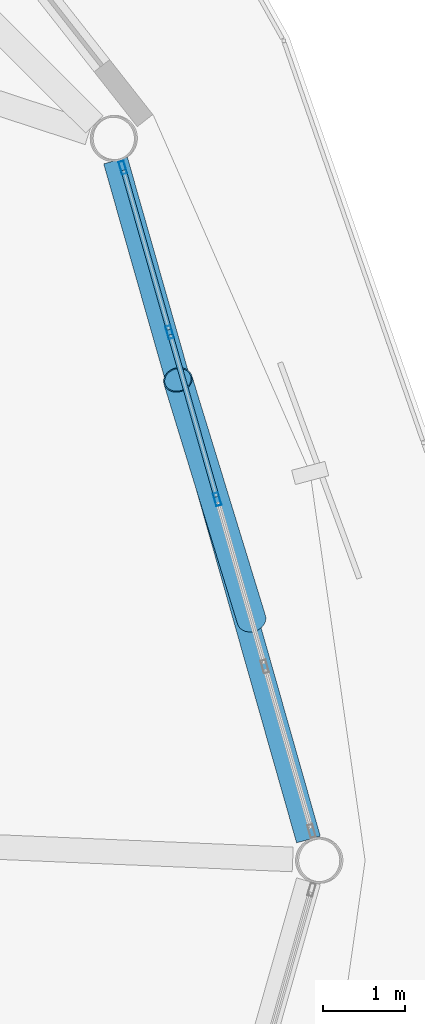
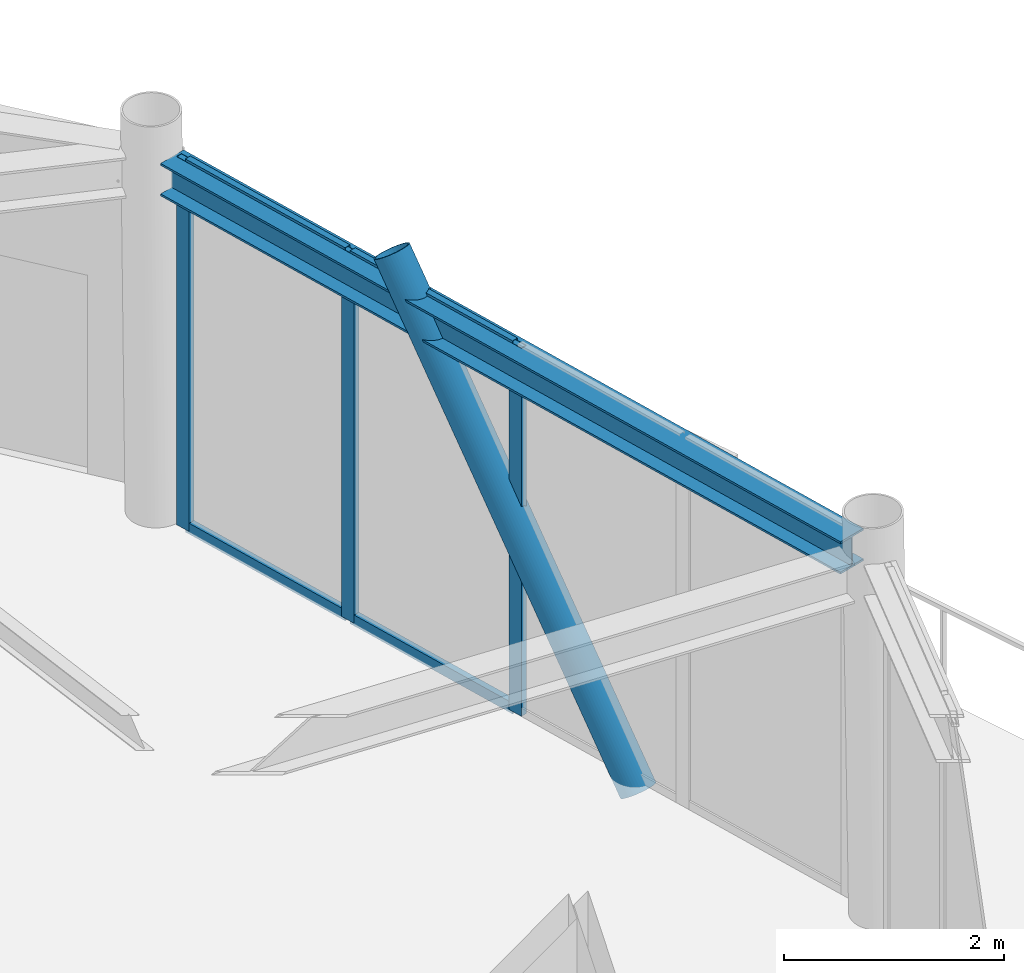
# One storey, part 14 of 24: 8 members, 1 beam, 1 element without a shape of its own.
"""IFC4 building model written with IfcOpenShell, lengths in metres."""

from ifc_helpers import new_model, si_unit, direction, frame, origin, origin_2d, place, context, subcontext, project, spatial, hollow_rectangle, hollow_circle, i_section, extrude, material, layer, layer_set, material_profile, profile_set, type_object, element, aggregate, save


model = new_model("IFC4")

# Units and contexts
model_context = context("Model", 3, precision=1e-05, world=origin(), true_north=direction((0.0, 1.0)))
body_context = subcontext(model_context, "Body", "Model", "MODEL_VIEW")
ifc_project = project(units=[si_unit("LENGTHUNIT", "METRE"), si_unit("AREAUNIT", "SQUARE_METRE"), si_unit("VOLUMEUNIT", "CUBIC_METRE"), si_unit("PLANEANGLEUNIT", "RADIAN"), si_unit("MASSUNIT", "GRAM", prefix="KILO")], contexts=[model_context])

# Site, building, storey
site_placement = place(None, origin())
site = spatial("IfcSite", under=ifc_project, at=site_placement, CompositionType="ELEMENT")
building_placement = place(site_placement, origin())
building = spatial("IfcBuilding", under=site, at=building_placement, Name="Varnakorn Sky Granary", CompositionType="ELEMENT")
storey_placement = place(building_placement, frame((0.0, 0.0, 285.0)))
storey = spatial("IfcBuildingStorey", under=building, at=storey_placement, Name="L73", CompositionType="ELEMENT", Elevation=285.0)

# Beam
ifc_material_1 = material(Name="Steel S355JR", Category="steel")
ifc_material_profile_1 = material_profile(ifc_material_1, i_section(OverallWidth=0.300048828125, OverallDepth=0.360107421875, WebThickness=0.012451171875, FlangeThickness=0.0224609375, at=origin_2d()), Name="HE 360 B")
ifc_profile_set_1 = profile_set([ifc_material_profile_1], Name="Steel S355JR")
beam_type = type_object("IfcBeamType", Name="BM-SPD-Z5", PredefinedType="SPANDREL", material=ifc_profile_set_1)
beam_placement = place(storey_placement, frame((22.527587890625, 0.25439453125, 3.89990234375), z_axis=(-0.273262465219, 0.961939512185, 0.0), x_axis=(-0.961939512185, -0.273262465219, 0.0)))
element("IfcBeam", 1, at=beam_placement, inside=storey, type_object=beam_type, Name="Perimeter Spandrel Ring Beam RB01 L73", PredefinedType="SPANDREL", context=body_context, shape_type="SweptSolid", body=[
    extrude(i_section(OverallWidth=0.300048828125, OverallDepth=0.360107421875, WebThickness=0.012451171875, FlangeThickness=0.0224609375, at=origin_2d()), origin(), (0.0, 0.0, 1.0), 8.60107421875),
])

# Curtain wall, members
ifc_material_2 = material(Name="Anodised Bronze Aluminium Alloy 6063-T6", Category="aluminium")
ifc_layer = layer(ifc_material_2, 0.159912109375, Name="Anodised Bronze Aluminium Alloy 6063-T6")
ifc_layer_set = layer_set([ifc_layer], Name="Anodised Bronze Aluminium Alloy 6063-T6")
curtain_wall_type = type_object("IfcCurtainWallType", Name="CW-OFF-1", PredefinedType="USERDEFINED", material=ifc_layer_set)
curtain_wall_placement = place(storey_placement, origin())
curtain_wall = element("IfcCurtainWall", 2, at=curtain_wall_placement, inside=storey, type_object=curtain_wall_type, Name="Unitised Curtain Wall CW6 CW-L73-B01", ObjectType="CURTAIN WALL", PredefinedType="USERDEFINED")
ifc_material_profile_2 = material_profile(ifc_material_2, hollow_rectangle(XDim=0.06494140625, YDim=0.159912109375, WallThickness=0.00341796875, at=origin_2d()), Name="ALU MULL 65x160")
ifc_profile_set_2 = profile_set([ifc_material_profile_2], Name="Anodised Bronze Aluminium Alloy 6063-T6")
member_type_1 = type_object("IfcMemberType", Name="CW-OFF-1-MULL", PredefinedType="MULLION", material=ifc_profile_set_2)
member_1_placement = place(storey_placement, frame((20.265625, 8.441650390625, 0.0), z_axis=(0.0, 0.0, 1.0), x_axis=(0.96181256174, 0.273708962366, 0.0)))
member_1 = element("IfcMember", 3, at=member_1_placement, type_object=member_type_1, Name="CW6 mullion 1", PredefinedType="MULLION", context=body_context, shape_type="SweptSolid", body=[
    extrude(hollow_rectangle(XDim=0.06494140625, YDim=0.159912109375, WallThickness=0.00341796875, at=origin_2d()), origin(), (0.0, 0.0, 1.0), 4.080078125),
])
member_2_placement = place(storey_placement, frame((20.83642578125, 6.436279296875, 0.0), z_axis=(0.0, 0.0, 1.0), x_axis=(0.96181256174, 0.273708962366, 0.0)))
member_2 = element("IfcMember", 4, at=member_2_placement, type_object=member_type_1, Name="CW6 mullion 2", PredefinedType="MULLION", context=body_context, shape_type="SweptSolid", body=[
    extrude(hollow_rectangle(XDim=0.06494140625, YDim=0.159912109375, WallThickness=0.00341796875, at=origin_2d()), origin(), (0.0, 0.0, 1.0), 4.080078125),
])
member_3_placement = place(storey_placement, frame((21.416015625, 4.399658203125, 0.0), z_axis=(0.0, 0.0, 1.0), x_axis=(0.96181256174, 0.273708962366, 0.0)))
member_3 = element("IfcMember", 5, at=member_3_placement, type_object=member_type_1, Name="CW6 mullion 3", PredefinedType="MULLION", context=body_context, shape_type="SweptSolid", body=[
    extrude(hollow_rectangle(XDim=0.06494140625, YDim=0.159912109375, WallThickness=0.00341796875, at=origin_2d()), origin(), (0.0, 0.0, 1.0), 4.080078125),
])
ifc_material_profile_3 = material_profile(ifc_material_2, hollow_rectangle(XDim=0.06494140625, YDim=0.1201171875, WallThickness=0.00341796875, at=origin_2d()), Name="ALU TRAN 65x120")
ifc_profile_set_3 = profile_set([ifc_material_profile_3], Name="Anodised Bronze Aluminium Alloy 6063-T6")
member_type_2 = type_object("IfcMemberType", Name="CW-OFF-1-TRAN", PredefinedType="USERDEFINED", material=ifc_profile_set_3)
member_4_placement = place(storey_placement, frame((20.274658203125, 8.410400390625, 0.032470703125), z_axis=(0.27363545981, -0.961833475782, 0.0), x_axis=(0.961833475782, 0.27363545981, 0.0)))
member_4 = element("IfcMember", 6, at=member_4_placement, type_object=member_type_2, Name="CW6 transom 1.1", ObjectType="TRANSOM", PredefinedType="USERDEFINED", context=body_context, shape_type="SweptSolid", body=[
    extrude(hollow_rectangle(XDim=0.06494140625, YDim=0.1201171875, WallThickness=0.00341796875, at=origin_2d()), origin(), (0.0, 0.0, 1.0), 2.02001953125),
])
member_5_placement = place(storey_placement, frame((20.274658203125, 8.410400390625, 4.047607421875), z_axis=(0.27363545981, -0.961833475782, 0.0), x_axis=(0.961833475782, 0.27363545981, 0.0)))
member_5 = element("IfcMember", 7, at=member_5_placement, type_object=member_type_2, Name="CW6 transom 1.2", ObjectType="TRANSOM", PredefinedType="USERDEFINED", context=body_context, shape_type="SweptSolid", body=[
    extrude(hollow_rectangle(XDim=0.06494140625, YDim=0.1201171875, WallThickness=0.00341796875, at=origin_2d()), origin(), (0.0, 0.0, 1.0), 2.02001953125),
])
member_6_placement = place(storey_placement, frame((20.84521484375, 6.405029296875, 0.032470703125), z_axis=(0.273699813873, -0.961815165136, 0.0), x_axis=(0.961815165136, 0.273699813873, 0.0)))
member_6 = element("IfcMember", 8, at=member_6_placement, type_object=member_type_2, Name="CW6 transom 2.1", ObjectType="TRANSOM", PredefinedType="USERDEFINED", context=body_context, shape_type="SweptSolid", body=[
    extrude(hollow_rectangle(XDim=0.06494140625, YDim=0.1201171875, WallThickness=0.00341796875, at=origin_2d()), origin(), (0.0, 0.0, 1.0), 2.052490234375),
])
member_7_placement = place(storey_placement, frame((20.84521484375, 6.405029296875, 4.047607421875), z_axis=(0.273699813873, -0.961815165136, 0.0), x_axis=(0.961815165136, 0.273699813873, 0.0)))
member_7 = element("IfcMember", 9, at=member_7_placement, type_object=member_type_2, Name="CW6 transom 2.2", ObjectType="TRANSOM", PredefinedType="USERDEFINED", context=body_context, shape_type="SweptSolid", body=[
    extrude(hollow_rectangle(XDim=0.06494140625, YDim=0.1201171875, WallThickness=0.00341796875, at=origin_2d()), origin(), (0.0, 0.0, 1.0), 2.052490234375),
])
aggregate(curtain_wall, [member_1, member_2, member_3, member_4, member_5, member_6, member_7])

# Member
ifc_material_3 = material(Name="Steel S460M", Category="steel")
ifc_material_profile_4 = material_profile(ifc_material_3, hollow_circle(Radius=0.177734375, WallThickness=0.01416015625, at=origin_2d()), Name="CHS 355.6x14")
ifc_profile_set_4 = profile_set([ifc_material_profile_4], Name="Steel S460M")
member_type_3 = type_object("IfcMemberType", Name="MB-DIAG-T5", PredefinedType="BRACE", material=ifc_profile_set_4)
member_8_placement = place(storey_placement, frame((21.833251953125, 2.93310546875, -0.1298828125), z_axis=(-0.164307591765, 0.535521039828, 0.828384108484), x_axis=(-0.956013596625, -0.29332235351, 0.0)))
element("IfcMember", 10, at=member_8_placement, inside=storey, type_object=member_type_3, Name="Perimeter CHS Diagrid Brace DG01 L73", PredefinedType="BRACE", context=body_context, shape_type="SweptSolid", body=[
    extrude(hollow_circle(Radius=0.177734375, WallThickness=0.01416015625, at=origin_2d()), origin(), (0.0, 0.0, 1.0), 5.4560546875),
])

save(model, "model.ifc")
